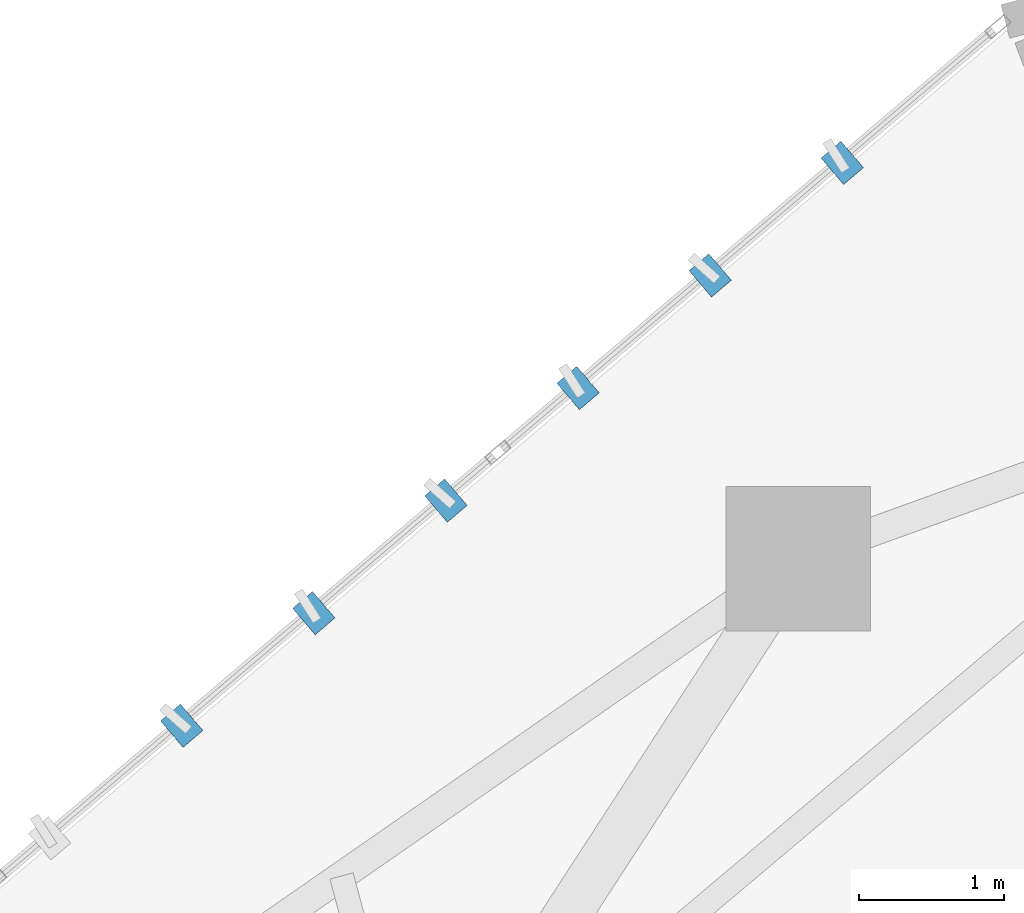
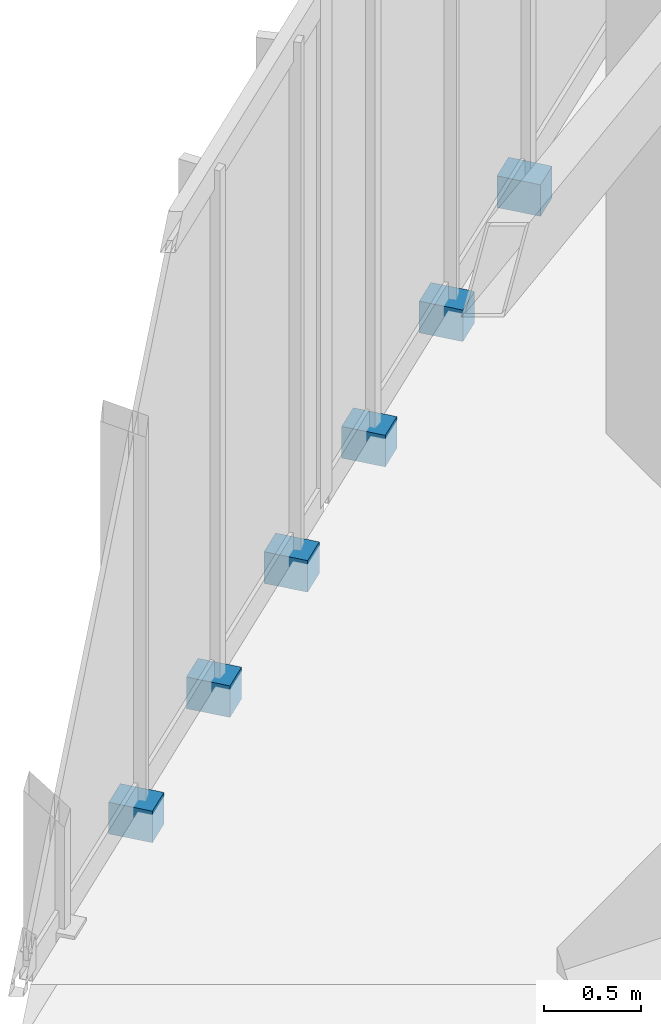
# One storey, part 19 of 21: 6 discrete accessories.
"""IFC4 building model written with IfcOpenShell, lengths in metres."""

from ifc_helpers import new_model, si_unit, direction, frame, origin, origin_2d, place, context, subcontext, project, spatial, rectangle, extrude, source, transform, mapped, material, type_object, type_shapes, element, save


model = new_model("IFC4")

# Units and contexts
model_context = context("Model", 3, precision=1e-05, world=origin(), true_north=direction((0.0, 1.0)))
body_context = subcontext(model_context, "Body", "Model", "MODEL_VIEW")
ifc_project = project(units=[si_unit("LENGTHUNIT", "METRE"), si_unit("AREAUNIT", "SQUARE_METRE"), si_unit("VOLUMEUNIT", "CUBIC_METRE"), si_unit("PLANEANGLEUNIT", "RADIAN"), si_unit("MASSUNIT", "GRAM", prefix="KILO")], contexts=[model_context])

# Site, building, storey
site_placement = place(None, origin())
site = spatial("IfcSite", under=ifc_project, at=site_placement, CompositionType="ELEMENT")
building_placement = place(site_placement, origin())
building = spatial("IfcBuilding", under=site, at=building_placement, Name="Talar Marvaseh", CompositionType="ELEMENT")
storey_placement = place(building_placement, frame((0.0, 0.0, 225.699951171875)))
storey = spatial("IfcBuildingStorey", under=building, at=storey_placement, Name="L59", CompositionType="ELEMENT", Elevation=225.699951171875)

# Discrete accessories
ifc_material = material(Name="Stainless Steel Grade 316", Category="steel")
discrete_accessory_type = type_object("IfcDiscreteAccessoryType", Name="Stainless Slab-Edge Fin Mounting Bracket", PredefinedType="BRACKET", material=ifc_material)
shared_shape = source(origin(), body_context, "Body", "SweptSolid", [
    extrude(rectangle(XDim=0.239990234375, YDim=0.179931640625, at=origin_2d()), origin(), (0.0, 0.0, 1.0), 0.199951171875),
])
type_shapes(discrete_accessory_type, [shared_shape])
for number, where, z_axis, x_axis, name in (
    (1, (17.089111328125, 39.831298828125, -0.1796875), (0.0, 0.0, 1.0), (-0.648518552727, 0.761198848376, 0.0), "L59 Vertical Fin Slab-Edge Bracket"),
    (2, (18.00244140625, 40.609619140625, -0.1796875), (0.0, 0.0, 1.0), (-0.648518552727, 0.761198848376, 0.0), "L59 Vertical Fin Slab-Edge Bracket"),
    (3, (18.916015625, 41.3876953125, -0.1796875), (0.0, 0.0, 1.0), (-0.648518552727, 0.761198848376, 0.0), "L59 Vertical Fin Slab-Edge Bracket"),
    (4, (19.829345703125, 42.166015625, -0.1796875), (0.0, 0.0, 1.0), (-0.648518552727, 0.761198848376, 0.0), "L59 Vertical Fin Slab-Edge Bracket"),
    (5, (20.74267578125, 42.9443359375, -0.1796875), (0.0, 0.0, 1.0), (-0.648518552727, 0.761198848376, 0.0), "L59 Vertical Fin Slab-Edge Bracket"),
    (6, (21.656005859375, 43.72265625, -0.1796875), (0.0, 0.0, 1.0), (-0.648518552727, 0.761198848376, 0.0), "L59 Vertical Fin Slab-Edge Bracket"),
):
    element("IfcDiscreteAccessory", number, at=place(storey_placement, frame(where, z_axis=z_axis, x_axis=x_axis)), inside=storey, type_object=discrete_accessory_type, Name=name, PredefinedType="BRACKET", context=body_context, shape_type="MappedRepresentation", body=[
        mapped(shared_shape, transform((0.0, 0.0, 0.0), x_axis=(1.0, 0.0, 0.0), y_axis=(0.0, 1.0, 0.0), z_axis=(0.0, 0.0, 1.0), scale=1.0)),
    ])

save(model, "model.ifc")
